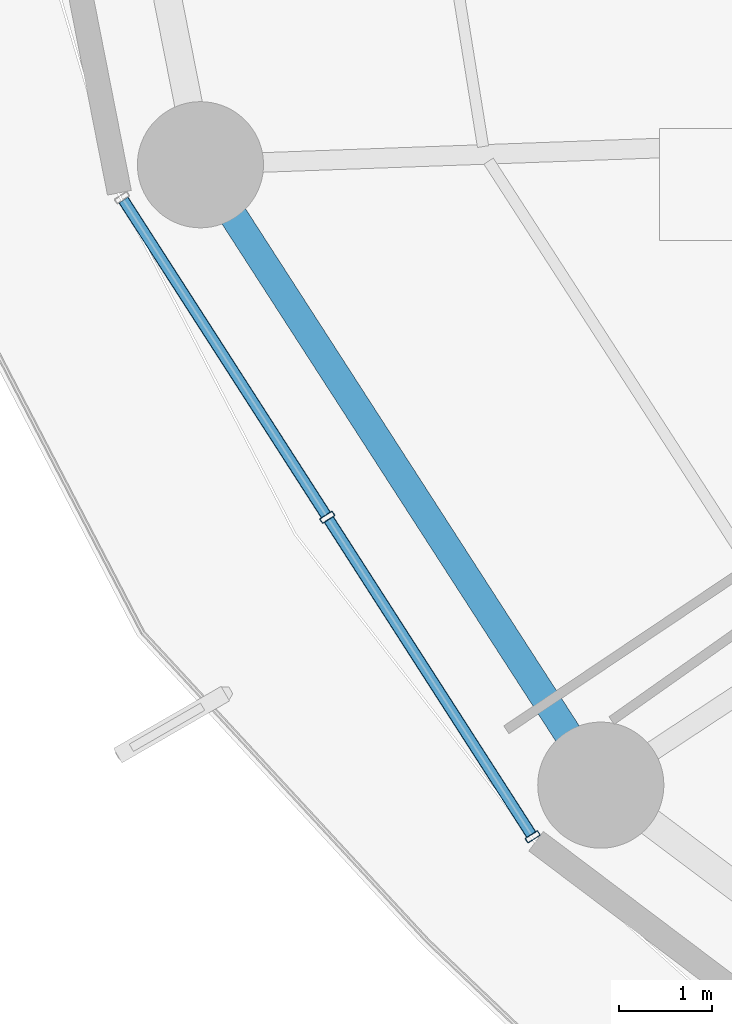
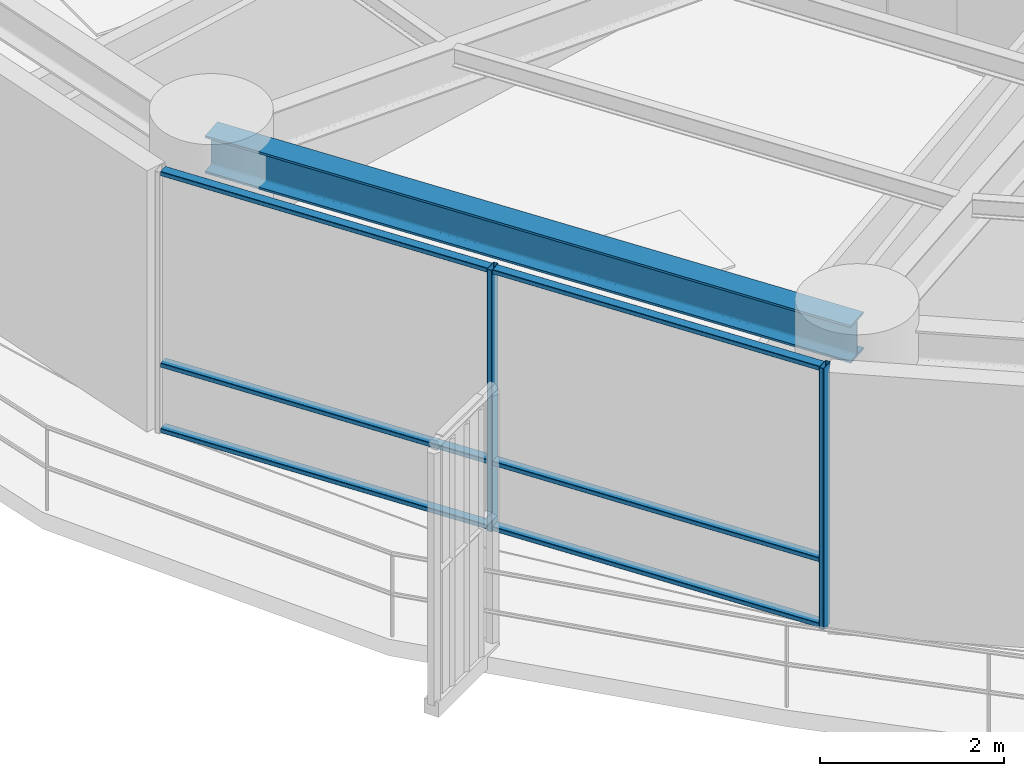
# One storey, part 2 of 35: 8 members, 1 beam, 1 element without a shape of its own.
"""IFC4 building model written with IfcOpenShell, lengths in metres."""

from ifc_helpers import new_model, si_unit, direction, frame, origin, origin_2d, place, context, subcontext, project, spatial, hollow_rectangle, i_section, extrude, material, layer, layer_set, material_profile, profile_set, type_object, element, aggregate, save


model = new_model("IFC4")

# Units and contexts
model_context = context("Model", 3, precision=1e-05, world=origin(), true_north=direction((0.0, 1.0)))
body_context = subcontext(model_context, "Body", "Model", "MODEL_VIEW")
ifc_project = project(units=[si_unit("LENGTHUNIT", "METRE"), si_unit("AREAUNIT", "SQUARE_METRE"), si_unit("VOLUMEUNIT", "CUBIC_METRE"), si_unit("PLANEANGLEUNIT", "RADIAN"), si_unit("MASSUNIT", "GRAM", prefix="KILO")], contexts=[model_context])

# Site, building, storey
site_placement = place(None, origin())
site = spatial("IfcSite", under=ifc_project, at=site_placement, CompositionType="ELEMENT")
building_placement = place(site_placement, origin())
building = spatial("IfcBuilding", under=site, at=building_placement, Name="Kelanora Arch Commons", CompositionType="ELEMENT")
storey_placement = place(building_placement, frame((0.0, 0.0, 87.60009765625)))
storey = spatial("IfcBuildingStorey", under=building, at=storey_placement, Name="L22", CompositionType="ELEMENT", Elevation=87.60009765625)

# Beam
ifc_material_1 = material(Name="Steel S355", Category="steel")
ifc_material_profile_1 = material_profile(ifc_material_1, i_section(OverallWidth=0.300048828125, OverallDepth=0.5, WebThickness=0.014404296875, FlangeThickness=0.028076171875, FilletRadius=0.027099609375, at=origin_2d()), Name="HEB500")
ifc_profile_set_1 = profile_set([ifc_material_profile_1], Name="Steel S355")
beam_type = type_object("IfcBeamType", Name="BM-SPN-Z2", PredefinedType="SPANDREL", material=ifc_profile_set_1)
beam_placement = place(storey_placement, frame((50.808349609375, 50.4482421875, 3.239990234375), z_axis=(0.542221144054, -0.840235818649, 0.0), x_axis=(0.840235818649, 0.542221144054, 0.0)))
element("IfcBeam", 1, at=beam_placement, inside=storey, type_object=beam_type, Name="Perimeter Spandrel Beam BS-20 L22", PredefinedType="SPANDREL", context=body_context, shape_type="SweptSolid", body=[
    extrude(i_section(OverallWidth=0.300048828125, OverallDepth=0.5, WebThickness=0.014404296875, FlangeThickness=0.028076171875, FilletRadius=0.027099609375, at=origin_2d()), origin(), (0.0, 0.0, 1.0), 7.90380859375),
])

# Curtain wall, members
ifc_material_2 = material(Name="Terracotta ceramic-fritted low-E glass and aluminium", Category="masonry")
ifc_layer = layer(ifc_material_2, 0.159912109375)
ifc_layer_set = layer_set([ifc_layer], Name="Terracotta ceramic-fritted low-E glass and aluminium")
curtain_wall_type = type_object("IfcCurtainWallType", Name="CW-SYS-01", PredefinedType="NOTDEFINED", material=ifc_layer_set)
curtain_wall_placement = place(storey_placement, origin())
curtain_wall = element("IfcCurtainWall", 2, at=curtain_wall_placement, inside=storey, type_object=curtain_wall_type, Name="Unitised Curtain Wall L22-B10", PredefinedType="NOTDEFINED")
ifc_material_3 = material(Name="Powder-coated aluminium terracotta", Category="masonry")
ifc_material_profile_2 = material_profile(ifc_material_3, hollow_rectangle(XDim=0.159912109375, YDim=0.06005859375, WallThickness=0.0048828125, InnerFilletRadius=0.0048828125, OuterFilletRadius=0.010009765625, at=origin_2d()), Name="CWM160x60")
ifc_profile_set_2 = profile_set([ifc_material_profile_2], Name="Powder-coated aluminium terracotta")
member_type_1 = type_object("IfcMemberType", Name="CWM-STD", PredefinedType="MULLION", material=ifc_profile_set_2)
member_1_placement = place(storey_placement, frame((52.16650390625, 46.6748046875, 0.0), z_axis=(0.0, 0.0, 1.0), x_axis=(0.841268883088, 0.540616931244, 0.0)))
member_1 = element("IfcMember", 3, at=member_1_placement, type_object=member_type_1, Name="CW-01 mullion 2", PredefinedType="MULLION", context=body_context, shape_type="SweptSolid", body=[
    extrude(hollow_rectangle(XDim=0.159912109375, YDim=0.06005859375, WallThickness=0.0048828125, InnerFilletRadius=0.0048828125, OuterFilletRadius=0.010009765625, at=origin_2d()), origin(), (0.0, 0.0, 1.0), 3.474853515625),
])
member_2_placement = place(storey_placement, frame((54.364990234375, 43.253662109375, 0.0), z_axis=(0.0, 0.0, 1.0), x_axis=(0.841268883088, 0.540616931244, 0.0)))
member_2 = element("IfcMember", 4, at=member_2_placement, type_object=member_type_1, Name="CW-01 mullion 3", PredefinedType="MULLION", context=body_context, shape_type="SweptSolid", body=[
    extrude(hollow_rectangle(XDim=0.159912109375, YDim=0.06005859375, WallThickness=0.0048828125, InnerFilletRadius=0.0048828125, OuterFilletRadius=0.010009765625, at=origin_2d()), origin(), (0.0, 0.0, 1.0), 3.474853515625),
])
ifc_material_profile_3 = material_profile(ifc_material_3, hollow_rectangle(XDim=0.1201171875, YDim=0.06005859375, WallThickness=0.0048828125, InnerFilletRadius=0.0048828125, OuterFilletRadius=0.010009765625, at=origin_2d()), Name="CWT120x60")
ifc_profile_set_3 = profile_set([ifc_material_profile_3], Name="Powder-coated aluminium terracotta")
member_type_2 = type_object("IfcMemberType", Name="CWT-STD", PredefinedType="USERDEFINED", material=ifc_profile_set_3)
member_3_placement = place(storey_placement, frame((49.984375, 50.0703125, 0.02978515625), z_axis=(0.540643629734, -0.841251725483, 0.0), x_axis=(0.841251725483, 0.540643629734, 0.0)))
member_3 = element("IfcMember", 5, at=member_3_placement, type_object=member_type_2, Name="CW-01 transom 1.1", ObjectType="TRANSOM", PredefinedType="USERDEFINED", context=body_context, shape_type="SweptSolid", body=[
    extrude(hollow_rectangle(XDim=0.1201171875, YDim=0.06005859375, WallThickness=0.0048828125, InnerFilletRadius=0.0048828125, OuterFilletRadius=0.010009765625, at=origin_2d()), origin(), (0.0, 0.0, 1.0), 4.00634765625),
])
member_4_placement = place(storey_placement, frame((49.984375, 50.0703125, 0.89990234375), z_axis=(0.540643629734, -0.841251725483, 0.0), x_axis=(0.841251725483, 0.540643629734, 0.0)))
member_4 = element("IfcMember", 6, at=member_4_placement, type_object=member_type_2, Name="CW-01 transom 1.2", ObjectType="TRANSOM", PredefinedType="USERDEFINED", context=body_context, shape_type="SweptSolid", body=[
    extrude(hollow_rectangle(XDim=0.1201171875, YDim=0.06005859375, WallThickness=0.0048828125, InnerFilletRadius=0.0048828125, OuterFilletRadius=0.010009765625, at=origin_2d()), origin(), (0.0, 0.0, 1.0), 4.00634765625),
])
member_5_placement = place(storey_placement, frame((49.984375, 50.0703125, 3.44482421875), z_axis=(0.540643629734, -0.841251725483, 0.0), x_axis=(0.841251725483, 0.540643629734, 0.0)))
member_5 = element("IfcMember", 7, at=member_5_placement, type_object=member_type_2, Name="CW-01 transom 1.3", ObjectType="TRANSOM", PredefinedType="USERDEFINED", context=body_context, shape_type="SweptSolid", body=[
    extrude(hollow_rectangle(XDim=0.1201171875, YDim=0.06005859375, WallThickness=0.0048828125, InnerFilletRadius=0.0048828125, OuterFilletRadius=0.010009765625, at=origin_2d()), origin(), (0.0, 0.0, 1.0), 4.00634765625),
])
member_6_placement = place(storey_placement, frame((52.182861328125, 46.6494140625, 0.02978515625), z_axis=(0.540643629734, -0.841251725483, 0.0), x_axis=(0.841251725483, 0.540643629734, 0.0)))
member_6 = element("IfcMember", 8, at=member_6_placement, type_object=member_type_2, Name="CW-01 transom 2.1", ObjectType="TRANSOM", PredefinedType="USERDEFINED", context=body_context, shape_type="SweptSolid", body=[
    extrude(hollow_rectangle(XDim=0.1201171875, YDim=0.06005859375, WallThickness=0.0048828125, InnerFilletRadius=0.0048828125, OuterFilletRadius=0.010009765625, at=origin_2d()), origin(), (0.0, 0.0, 1.0), 4.00634765625),
])
member_7_placement = place(storey_placement, frame((52.182861328125, 46.6494140625, 0.89990234375), z_axis=(0.540643629734, -0.841251725483, 0.0), x_axis=(0.841251725483, 0.540643629734, 0.0)))
member_7 = element("IfcMember", 9, at=member_7_placement, type_object=member_type_2, Name="CW-01 transom 2.2", ObjectType="TRANSOM", PredefinedType="USERDEFINED", context=body_context, shape_type="SweptSolid", body=[
    extrude(hollow_rectangle(XDim=0.1201171875, YDim=0.06005859375, WallThickness=0.0048828125, InnerFilletRadius=0.0048828125, OuterFilletRadius=0.010009765625, at=origin_2d()), origin(), (0.0, 0.0, 1.0), 4.00634765625),
])
member_8_placement = place(storey_placement, frame((52.182861328125, 46.6494140625, 3.44482421875), z_axis=(0.540643629734, -0.841251725483, 0.0), x_axis=(0.841251725483, 0.540643629734, 0.0)))
member_8 = element("IfcMember", 10, at=member_8_placement, type_object=member_type_2, Name="CW-01 transom 2.3", ObjectType="TRANSOM", PredefinedType="USERDEFINED", context=body_context, shape_type="SweptSolid", body=[
    extrude(hollow_rectangle(XDim=0.1201171875, YDim=0.06005859375, WallThickness=0.0048828125, InnerFilletRadius=0.0048828125, OuterFilletRadius=0.010009765625, at=origin_2d()), origin(), (0.0, 0.0, 1.0), 4.00634765625),
])
aggregate(curtain_wall, [member_1, member_2, member_3, member_4, member_5, member_6, member_7, member_8])

save(model, "model.ifc")
